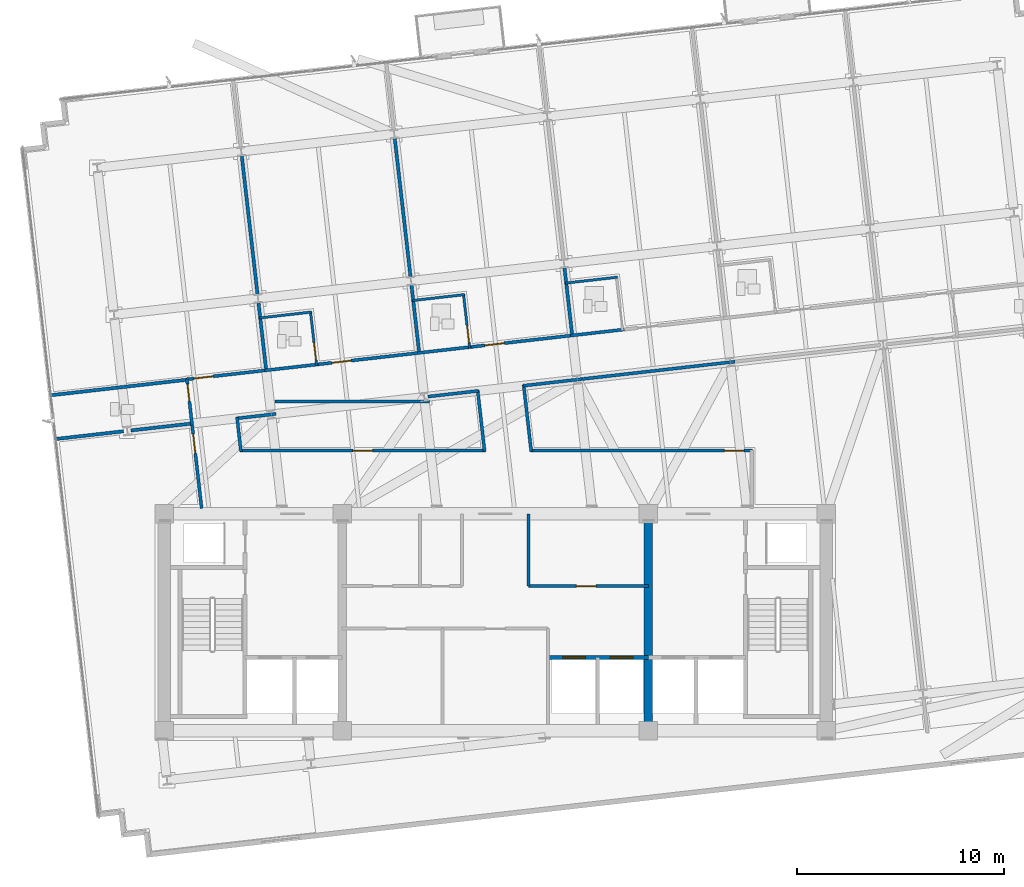
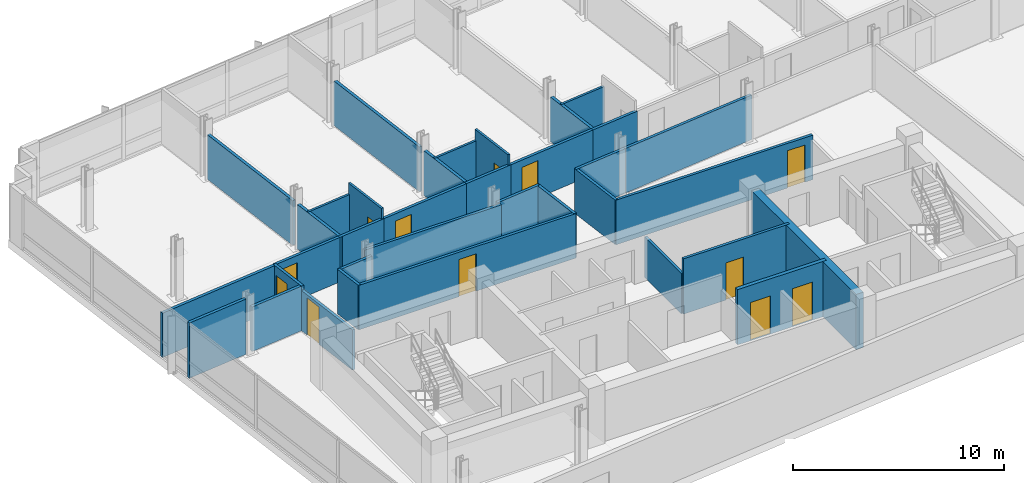
# One storey, part 9 of 15: 35 walls, 12 doors, 12 openings.
"""IFC4 building model written with IfcOpenShell, lengths in metres."""

from ifc_helpers import new_model, si_unit, direction, frame, frame_2d, origin, place, context, subcontext, project, spatial, rectangle, extrude, material, layer, layer_set, type_object, element, fill, save


model = new_model("IFC4")

# Units and contexts
model_context = context("Model", 3, precision=1e-05, world=origin(), true_north=direction((0.0, 1.0)))
body_context = subcontext(model_context, "Body", "Model", "MODEL_VIEW")
ifc_project = project(units=[si_unit("LENGTHUNIT", "METRE"), si_unit("AREAUNIT", "SQUARE_METRE"), si_unit("VOLUMEUNIT", "CUBIC_METRE"), si_unit("PLANEANGLEUNIT", "RADIAN"), si_unit("MASSUNIT", "GRAM", prefix="KILO")], contexts=[model_context])

# Site, building, storey
site_placement = place(None, origin())
site = spatial("IfcSite", under=ifc_project, at=site_placement, CompositionType="ELEMENT")
building_placement = place(site_placement, origin())
building = spatial("IfcBuilding", under=site, at=building_placement, Name="Solmavex Isthmus Hotel", CompositionType="ELEMENT")
storey_placement = place(building_placement, frame((0.0, 0.0, 191.699951171875)))
storey = spatial("IfcBuildingStorey", under=building, at=storey_placement, Name="L51", CompositionType="ELEMENT", Elevation=191.699951171875)

# Walls
ifc_material_1 = material(Name="Gypsum plasterboard lining", Category="gypsum")
ifc_layer_1 = layer(ifc_material_1, 0.159912109375)
ifc_layer_set_1 = layer_set([ifc_layer_1], Name="Gypsum plasterboard lining")
wall_type_1 = type_object("IfcWallType", Name="IW-COMP-160", PredefinedType="PARTITIONING", material=ifc_layer_set_1)
wall_1_placement = place(storey_placement, frame((-12.262939453125, 14.84326171875, 0.0), z_axis=(0.0, 0.0, 1.0), x_axis=(0.113177968069, -0.993574731736, 0.0)))
element("IfcWall", 1, at=wall_1_placement, inside=storey, type_object=wall_type_1, Name="Interior Partition Wall W-L51-P028", PredefinedType="PARTITIONING", context=body_context, shape_type="SweptSolid", body=[
    extrude(rectangle(XDim=6.79931640625, YDim=0.159912109375, at=frame_2d((3.399658203125, 0.0))), origin(), (0.0, 0.0, 1.0), 2.572265625),
])
wall_2_placement = place(storey_placement, frame((-11.453369140625, 7.737060546875, 0.0), z_axis=(0.0, 0.0, 1.0), x_axis=(0.113229088195, -0.993568907317, 0.0)))
element("IfcWall", 2, at=wall_2_placement, inside=storey, type_object=wall_type_1, Name="Interior Partition Wall W-L51-P029", PredefinedType="PARTITIONING", context=body_context, shape_type="SweptSolid", body=[
    extrude(rectangle(XDim=3.361572265625, YDim=0.159912109375, at=frame_2d((1.6806640625, 0.0))), origin(), (0.0, 0.0, 1.0), 2.572265625),
])
wall_3_placement = place(storey_placement, frame((-14.86865234375, 3.98486328125, 0.0), z_axis=(0.0, 0.0, 1.0), x_axis=(-0.993568743641, -0.113230524415, 0.0)))
element("IfcWall", 3, at=wall_3_placement, inside=storey, type_object=wall_type_1, Name="Interior Partition Wall W-L51-P030", PredefinedType="PARTITIONING", context=body_context, shape_type="SweptSolid", body=[
    extrude(rectangle(XDim=6.7099609375, YDim=0.159912109375, at=frame_2d((3.35498046875, 0.0))), origin(), (0.0, 0.0, 1.0), 2.5576171875),
])
wall_4_placement = place(storey_placement, frame((-4.864990234375, 15.68603515625, 0.0), z_axis=(0.0, 0.0, 1.0), x_axis=(0.11321341463, -0.993570693382, 0.0)))
element("IfcWall", 4, at=wall_4_placement, inside=storey, type_object=wall_type_1, Name="Interior Partition Wall W-L51-P034", PredefinedType="PARTITIONING", context=body_context, shape_type="SweptSolid", body=[
    extrude(rectangle(XDim=6.79931640625, YDim=0.159912109375, at=frame_2d((3.399658203125, 0.0))), origin(), (0.0, 0.0, 1.0), 2.572265625),
])
for number, where, z_axis, x_axis, name in (
    (5, (-4.05517578125, 8.580078125, 0.0), (0.0, 0.0, 1.0), (0.113149223935, -0.993578005555, 0.0), "Interior Partition Wall W-L51-P035"),
    (6, (3.3427734375, 9.4228515625, 0.0), (0.0, 0.0, 1.0), (0.113229088195, -0.993568907317, 0.0), "Interior Partition Wall W-L51-P040"),
):
    element("IfcWall", number, at=place(storey_placement, frame(where, z_axis=z_axis, x_axis=x_axis)), inside=storey, type_object=wall_type_1, Name=name, PredefinedType="PARTITIONING", context=body_context, shape_type="SweptSolid", body=[
        extrude(rectangle(XDim=3.361572265625, YDim=0.159912109375, at=frame_2d((1.6806640625, 0.0))), origin(), (0.0, 0.0, 1.0), 2.572265625),
    ])
wall_5_placement = place(storey_placement, frame((-17.97216796875, 1.4873046875, 0.0), z_axis=(0.0, 0.0, 1.0), x_axis=(-0.993575433752, -0.113171804991, 0.0)))
element("IfcWall", 7, at=wall_5_placement, inside=storey, type_object=wall_type_1, Name="Interior Partition Wall W-L51-P052", PredefinedType="PARTITIONING", context=body_context, shape_type="SweptSolid", body=[
    extrude(rectangle(XDim=3.34375, YDim=0.159912109375, at=frame_2d((1.671875, 0.0))), origin(), (0.0, 0.0, 1.0), 3.18994140625),
])
wall_6_placement = place(storey_placement, frame((-14.62744140625, 1.868408203125, 0.0), z_axis=(0.0, 0.0, 1.0), x_axis=(-0.993574646464, -0.113178716659, 0.0)))
element("IfcWall", 8, at=wall_6_placement, inside=storey, type_object=wall_type_1, Name="Interior Partition Wall W-L51-P053", PredefinedType="PARTITIONING", context=body_context, shape_type="SweptSolid", body=[
    extrude(rectangle(XDim=3.013427734375, YDim=0.159912109375, at=frame_2d((1.5068359375, 0.0))), origin(), (0.0, 0.0, 1.0), 2.572265625),
])

# Wall, opening, door
ifc_layer_2 = layer(ifc_material_1, 0.14990234375)
ifc_layer_set_2 = layer_set([ifc_layer_2], Name="Gypsum plasterboard lining")
wall_type_2 = type_object("IfcWallType", Name="IW-CORR-150", PredefinedType="PARTITIONING", material=ifc_layer_set_2)
wall_7_placement = place(storey_placement, frame((1.60009765625, -6.0, 0.0), z_axis=(0.0, 0.0, 1.0), x_axis=(1.0, 0.0, 0.0)))
wall_7 = element("IfcWall", 9, at=wall_7_placement, inside=storey, type_object=wall_type_2, Name="Interior Partition Wall W-L51-BOH-ES", PredefinedType="PARTITIONING", context=body_context, shape_type="SweptSolid", body=[
    extrude(rectangle(XDim=5.7998046875, YDim=0.14990234375, at=frame_2d((2.89990234375, 0.0))), origin(), (0.0, 0.0, 1.0), 3.18994140625),
])
opening_1_placement = place(wall_7_placement, frame((2.324951171875, 0.0, 0.0)))
opening_1 = element("IfcOpeningElement", 10, at=opening_1_placement, cuts=wall_7, Name="Opening ID-C095", PredefinedType="OPENING", context=body_context, shape_type="SweptSolid", body=[
    extrude(rectangle(XDim=0.949951171875, YDim=2.14990234375, at=frame_2d((0.47509765625, 1.074951171875))), frame((0.0, 0.0849609375, 0.0), z_axis=(0.0, -1.0, 0.0), x_axis=(1.0, 0.0, 0.0)), (0.0, 0.0, 1.0), 0.169921875),
])
ifc_material_2 = material(Name="Hardwood timber", Category="wood")
door_type_1 = type_object("IfcDoorType", Name="IDR-FD60-0950", OperationType="NOTDEFINED", PredefinedType="DOOR", material=ifc_material_2)
door_1_placement = place(opening_1_placement, frame((0.949951171875, 0.0, 0.0), z_axis=(0.0, 0.0, 1.0), x_axis=(-1.0, 0.0, 0.0)))
door_1 = element("IfcDoor", 11, at=door_1_placement, inside=storey, type_object=door_type_1, Name="Butler Pantry Door L51", OperationType="SINGLE_SWING_RIGHT", OverallHeight=2.14990234375, OverallWidth=0.949951171875, PredefinedType="DOOR", context=body_context, shape_type="SweptSolid", body=[
    extrude(rectangle(XDim=0.949951171875, YDim=2.14990234375, at=frame_2d((0.47509765625, 1.074951171875))), frame((0.0, 0.02490234375, 0.0), z_axis=(0.0, -1.0, 0.0), x_axis=(1.0, 0.0, 0.0)), (0.0, 0.0, 1.0), 0.050048828125),
])
fill(opening_1, door_1)

# Wall
wall_8_placement = place(storey_placement, frame((1.60009765625, -6.0, 0.0), z_axis=(0.0, 0.0, 1.0), x_axis=(0.0, 1.0, 0.0)))
element("IfcWall", 12, at=wall_8_placement, inside=storey, type_object=wall_type_2, Name="Interior Partition Wall W-L51-BOH-EW", PredefinedType="PARTITIONING", context=body_context, shape_type="SweptSolid", body=[
    extrude(rectangle(XDim=3.5, YDim=0.14990234375, at=frame_2d((1.75, 0.0))), origin(), (0.0, 0.0, 1.0), 2.324951171875),
])

# Wall, opening, door
wall_9_placement = place(storey_placement, frame((-14.950439453125, 3.99560546875, 0.0), z_axis=(0.0, 0.0, 1.0), x_axis=(0.993575504711, 0.11317118201, 0.0)))
wall_9 = element("IfcWall", 13, at=wall_9_placement, inside=storey, type_object=wall_type_2, Name="Interior Partition Wall W-L51-P001", PredefinedType="PARTITIONING", context=body_context, shape_type="SweptSolid", body=[
    extrude(rectangle(XDim=3.980224609375, YDim=0.14990234375, at=frame_2d((1.990234375, 0.0))), origin(), (0.0, 0.0, 1.0), 2.572265625),
])
opening_2_placement = place(wall_9_placement, frame((0.368408203125, 0.0, 0.0)))
opening_2 = element("IfcOpeningElement", 14, at=opening_2_placement, cuts=wall_9, Name="Opening ID-C095", PredefinedType="OPENING", context=body_context, shape_type="SweptSolid", body=[
    extrude(rectangle(XDim=0.949951171875, YDim=2.14990234375, at=frame_2d((0.47509765625, 1.074951171875))), frame((0.0, 0.0849609375, 0.0), z_axis=(0.0, -1.0, 0.0), x_axis=(1.0, 0.0, 0.0)), (0.0, 0.0, 1.0), 0.169921875),
])
door_2_placement = place(opening_2_placement, origin())
door_2 = element("IfcDoor", 15, at=door_2_placement, inside=storey, type_object=door_type_1, Name="Executive Hospitality Lounge Door L51-01", OperationType="SINGLE_SWING_LEFT", OverallHeight=2.14990234375, OverallWidth=0.949951171875, PredefinedType="DOOR", context=body_context, shape_type="SweptSolid", body=[
    extrude(rectangle(XDim=0.949951171875, YDim=2.14990234375, at=frame_2d((0.47509765625, 1.074951171875))), frame((0.0, 0.02490234375, 0.0), z_axis=(0.0, -1.0, 0.0), x_axis=(1.0, 0.0, 0.0)), (0.0, 0.0, 1.0), 0.050048828125),
])
fill(opening_2, door_2)

wall_10_placement = place(storey_placement, frame((-8.724609375, 4.704833984375, 0.0), z_axis=(0.0, 0.0, 1.0), x_axis=(0.993569374626, 0.113224987546, 0.0)))
wall_10 = element("IfcWall", 16, at=wall_10_placement, inside=storey, type_object=wall_type_2, Name="Interior Partition Wall W-L51-P002", PredefinedType="PARTITIONING", context=body_context, shape_type="SweptSolid", body=[
    extrude(rectangle(XDim=5.159912109375, YDim=0.14990234375, at=frame_2d((2.580078125, 0.0))), origin(), (0.0, 0.0, 1.0), 2.572265625),
])
opening_3_placement = place(wall_10_placement, frame((0.82470703125, 0.0, 0.0)))
opening_3 = element("IfcOpeningElement", 17, at=opening_3_placement, cuts=wall_10, Name="Opening ID-C095", PredefinedType="OPENING", context=body_context, shape_type="SweptSolid", body=[
    extrude(rectangle(XDim=0.949951171875, YDim=2.14990234375, at=frame_2d((0.47509765625, 1.074951171875))), frame((0.0, 0.0849609375, 0.0), z_axis=(0.0, -1.0, 0.0), x_axis=(1.0, 0.0, 0.0)), (0.0, 0.0, 1.0), 0.169921875),
])
door_3_placement = place(opening_3_placement, origin())
door_3 = element("IfcDoor", 18, at=door_3_placement, inside=storey, type_object=door_type_1, Name="Diplomatic Suite Door L51-02", OperationType="SINGLE_SWING_RIGHT", OverallHeight=2.14990234375, OverallWidth=0.949951171875, PredefinedType="DOOR", context=body_context, shape_type="SweptSolid", body=[
    extrude(rectangle(XDim=0.949951171875, YDim=2.14990234375, at=frame_2d((0.47509765625, 1.074951171875))), frame((0.0, 0.02490234375, 0.0), z_axis=(0.0, -1.0, 0.0), x_axis=(1.0, 0.0, 0.0)), (0.0, 0.0, 1.0), 0.050048828125),
])
fill(opening_3, door_3)

# Wall
wall_11_placement = place(storey_placement, frame((-11.158935546875, 4.427490234375, 0.0), z_axis=(0.0, 0.0, 1.0), x_axis=(0.993572349416, 0.113198880193, 0.0)))
element("IfcWall", 19, at=wall_11_placement, inside=storey, type_object=wall_type_2, Name="Interior Partition Wall W-L51-P003", PredefinedType="PARTITIONING", context=body_context, shape_type="SweptSolid", body=[
    extrude(rectangle(XDim=2.614013671875, YDim=0.14990234375, at=frame_2d((1.30712890625, 0.0))), origin(), (0.0, 0.0, 1.0), 2.572265625),
])

# Wall, opening, door
wall_12_placement = place(storey_placement, frame((-1.326416015625, 5.5478515625, 0.0), z_axis=(0.0, 0.0, 1.0), x_axis=(0.993569374626, 0.113224987546, 0.0)))
wall_12 = element("IfcWall", 20, at=wall_12_placement, inside=storey, type_object=wall_type_2, Name="Interior Partition Wall W-L51-P004", PredefinedType="PARTITIONING", context=body_context, shape_type="SweptSolid", body=[
    extrude(rectangle(XDim=5.159912109375, YDim=0.14990234375, at=frame_2d((2.580078125, 0.0))), origin(), (0.0, 0.0, 1.0), 2.572265625),
])
opening_4_placement = place(wall_12_placement, frame((0.82470703125, 0.0, 0.0)))
opening_4 = element("IfcOpeningElement", 21, at=opening_4_placement, cuts=wall_12, Name="Opening ID-C095", PredefinedType="OPENING", context=body_context, shape_type="SweptSolid", body=[
    extrude(rectangle(XDim=0.949951171875, YDim=2.14990234375, at=frame_2d((0.47509765625, 1.074951171875))), frame((0.0, 0.0849609375, 0.0), z_axis=(0.0, -1.0, 0.0), x_axis=(1.0, 0.0, 0.0)), (0.0, 0.0, 1.0), 0.169921875),
])
door_4_placement = place(opening_4_placement, origin())
door_4 = element("IfcDoor", 22, at=door_4_placement, inside=storey, type_object=door_type_1, Name="Premier Suite Door L51-04", OperationType="SINGLE_SWING_RIGHT", OverallHeight=2.14990234375, OverallWidth=0.949951171875, PredefinedType="DOOR", context=body_context, shape_type="SweptSolid", body=[
    extrude(rectangle(XDim=0.949951171875, YDim=2.14990234375, at=frame_2d((0.47509765625, 1.074951171875))), frame((0.0, 0.02490234375, 0.0), z_axis=(0.0, -1.0, 0.0), x_axis=(1.0, 0.0, 0.0)), (0.0, 0.0, 1.0), 0.050048828125),
])
fill(opening_4, door_4)

# Walls
for number, where, z_axis, x_axis, name in (
    (23, (-3.7607421875, 5.2705078125, 0.0), (0.0, 0.0, 1.0), (0.993572349416, 0.113198880193, 0.0), "Interior Partition Wall W-L51-P005"),
    (24, (3.637451171875, 6.11328125, 0.0), (0.0, 0.0, 1.0), (0.99356184061, 0.11329108034, 0.0), "Interior Partition Wall W-L51-P007"),
):
    element("IfcWall", number, at=place(storey_placement, frame(where, z_axis=z_axis, x_axis=x_axis)), inside=storey, type_object=wall_type_2, Name=name, PredefinedType="PARTITIONING", context=body_context, shape_type="SweptSolid", body=[
        extrude(rectangle(XDim=2.614013671875, YDim=0.14990234375, at=frame_2d((1.30712890625, 0.0))), origin(), (0.0, 0.0, 1.0), 2.572265625),
    ])

# Wall, opening, door
wall_13_placement = place(storey_placement, frame((-14.657958984375, 1.782470703125, 0.0), z_axis=(0.0, 0.0, 1.0), x_axis=(-0.113179685294, 0.993574536125, 0.0)))
wall_13 = element("IfcWall", 25, at=wall_13_placement, inside=storey, type_object=wall_type_2, Name="Interior Partition Wall W-L51-P011", PredefinedType="PARTITIONING", context=body_context, shape_type="SweptSolid", body=[
    extrude(rectangle(XDim=2.251953125, YDim=0.14990234375, at=frame_2d((1.1259765625, 0.0))), origin(), (0.0, 0.0, 1.0), 2.572265625),
])
opening_5_placement = place(wall_13_placement, frame((1.156982421875, 0.0, 0.0)))
opening_5 = element("IfcOpeningElement", 26, at=opening_5_placement, cuts=wall_13, Name="Opening ID-R085", PredefinedType="OPENING", context=body_context, shape_type="SweptSolid", body=[
    extrude(rectangle(XDim=0.85009765625, YDim=2.050048828125, at=frame_2d((0.425048828125, 1.02490234375))), frame((0.0, 0.0849609375, 0.0), z_axis=(0.0, -1.0, 0.0), x_axis=(1.0, 0.0, 0.0)), (0.0, 0.0, 1.0), 0.169921875),
])
ifc_material_3 = material(Name="Steel ASTM A500 Grade C", Category="steel")
door_type_2 = type_object("IfcDoorType", Name="IDR-FD60-0850", OperationType="NOTDEFINED", PredefinedType="DOOR", material=ifc_material_3)
door_5_placement = place(opening_5_placement, frame((0.85009765625, 0.0, 0.0), z_axis=(0.0, 0.0, 1.0), x_axis=(-1.0, 0.0, 0.0)))
door_5 = element("IfcDoor", 27, at=door_5_placement, inside=storey, type_object=door_type_2, Name="Accessible Public Restroom WC Door L51-11", OperationType="SINGLE_SWING_LEFT", OverallHeight=2.050048828125, OverallWidth=0.85009765625, PredefinedType="DOOR", context=body_context, shape_type="SweptSolid", body=[
    extrude(rectangle(XDim=0.85009765625, YDim=2.050048828125, at=frame_2d((0.425048828125, 1.02490234375))), frame((0.0, 0.02490234375, 0.0), z_axis=(0.0, -1.0, 0.0), x_axis=(1.0, 0.0, 0.0)), (0.0, 0.0, 1.0), 0.050048828125),
])
fill(opening_5, door_5)

# Walls
wall_14_placement = place(storey_placement, frame((-10.6064453125, 2.32666015625, 0.0), z_axis=(0.0, 0.0, 1.0), x_axis=(-0.993564486687, -0.113267871856, 0.0)))
element("IfcWall", 28, at=wall_14_placement, inside=storey, type_object=wall_type_2, Name="Interior Partition Wall W-L51-P013", PredefinedType="PARTITIONING", context=body_context, shape_type="SweptSolid", body=[
    extrude(rectangle(XDim=1.927001953125, YDim=0.14990234375, at=frame_2d((0.96337890625, 0.0))), origin(), (0.0, 0.0, 1.0), 2.572265625),
])
wall_15_placement = place(storey_placement, frame((-12.48583984375, 2.15283203125, 0.0), z_axis=(0.0, 0.0, 1.0), x_axis=(0.113121752139, -0.993581133674, 0.0)))
element("IfcWall", 29, at=wall_15_placement, inside=storey, type_object=wall_type_2, Name="Interior Partition Wall W-L51-P014", PredefinedType="PARTITIONING", context=body_context, shape_type="SweptSolid", body=[
    extrude(rectangle(XDim=1.653076171875, YDim=0.14990234375, at=frame_2d((0.82666015625, 0.0))), origin(), (0.0, 0.0, 1.0), 2.572265625),
])

# Wall, opening, door
wall_16_placement = place(storey_placement, frame((-12.34326171875, 0.550048828125, 0.0), z_axis=(0.0, 0.0, 1.0), x_axis=(1.0, 0.0, 0.0)))
wall_16 = element("IfcWall", 30, at=wall_16_placement, inside=storey, type_object=wall_type_2, Name="Interior Partition Wall W-L51-P015", PredefinedType="PARTITIONING", context=body_context, shape_type="SweptSolid", body=[
    extrude(rectangle(XDim=11.86279296875, YDim=0.14990234375, at=frame_2d((5.931396484375, 0.0))), origin(), (0.0, 0.0, 1.0), 2.572265625),
])
opening_6_placement = place(wall_16_placement, frame((5.456298828125, 0.0, 0.0)))
opening_6 = element("IfcOpeningElement", 31, at=opening_6_placement, cuts=wall_16, Name="Opening ID-C095", PredefinedType="OPENING", context=body_context, shape_type="SweptSolid", body=[
    extrude(rectangle(XDim=0.949951171875, YDim=2.14990234375, at=frame_2d((0.47509765625, 1.074951171875))), frame((0.0, 0.0849609375, 0.0), z_axis=(0.0, -1.0, 0.0), x_axis=(1.0, 0.0, 0.0)), (0.0, 0.0, 1.0), 0.169921875),
])
door_6_placement = place(opening_6_placement, origin())
door_6 = element("IfcDoor", 32, at=door_6_placement, inside=storey, type_object=door_type_1, Name="Butler Kitchenette Door L51-13", OperationType="SINGLE_SWING_LEFT", OverallHeight=2.14990234375, OverallWidth=0.949951171875, PredefinedType="DOOR", context=body_context, shape_type="SweptSolid", body=[
    extrude(rectangle(XDim=0.949951171875, YDim=2.14990234375, at=frame_2d((0.47509765625, 1.074951171875))), frame((0.0, 0.02490234375, 0.0), z_axis=(0.0, -1.0, 0.0), x_axis=(1.0, 0.0, 0.0)), (0.0, 0.0, 1.0), 0.050048828125),
])
fill(opening_6, door_6)

# Walls
wall_17_placement = place(storey_placement, frame((-0.515869140625, 0.51025390625, 0.0), z_axis=(0.0, 0.0, 1.0), x_axis=(-0.113283799092, 0.993562670828, 0.0)))
element("IfcWall", 33, at=wall_17_placement, inside=storey, type_object=wall_type_2, Name="Interior Partition Wall W-L51-P016", PredefinedType="PARTITIONING", context=body_context, shape_type="SweptSolid", body=[
    extrude(rectangle(XDim=2.987060546875, YDim=0.14990234375, at=frame_2d((1.49365234375, 0.0))), origin(), (0.0, 0.0, 1.0), 2.572265625),
])
wall_18_placement = place(storey_placement, frame((-0.809814453125, 3.44287109375, 0.0), z_axis=(0.0, 0.0, 1.0), x_axis=(-0.993568355418, -0.113233930922, 0.0)))
element("IfcWall", 34, at=wall_18_placement, inside=storey, type_object=wall_type_2, Name="Interior Partition Wall W-L51-P017", PredefinedType="PARTITIONING", context=body_context, shape_type="SweptSolid", body=[
    extrude(rectangle(XDim=2.466552734375, YDim=0.14990234375, at=frame_2d((1.2333984375, 0.0))), origin(), (0.0, 0.0, 1.0), 2.572265625),
])
wall_19_placement = place(storey_placement, frame((-3.180908203125, 2.9287109375, 0.0), z_axis=(0.0, 0.0, 1.0), x_axis=(-1.0, 0.0, 0.0)))
element("IfcWall", 35, at=wall_19_placement, inside=storey, type_object=wall_type_2, Name="Interior Partition Wall W-L51-P018", PredefinedType="PARTITIONING", context=body_context, shape_type="SweptSolid", body=[
    extrude(rectangle(XDim=7.477783203125, YDim=0.14990234375, at=frame_2d((3.73876953125, 0.0))), origin(), (0.0, 0.0, 1.0), 2.572265625),
])

# Wall, opening, door
wall_20_placement = place(storey_placement, frame((-14.19970703125, -2.23974609375, 0.0), z_axis=(0.0, 0.0, 1.0), x_axis=(-0.11319839611, 0.993572404568, 0.0)))
wall_20 = element("IfcWall", 36, at=wall_20_placement, inside=storey, type_object=wall_type_2, Name="Interior Partition Wall W-L51-P019", PredefinedType="PARTITIONING", context=body_context, shape_type="SweptSolid", body=[
    extrude(rectangle(XDim=4.212158203125, YDim=0.14990234375, at=frame_2d((2.10595703125, 0.0))), origin(), (0.0, 0.0, 1.0), 2.324951171875),
])
opening_7_placement = place(wall_20_placement, frame((2.67236328125, 0.0, 0.0)))
opening_7 = element("IfcOpeningElement", 37, at=opening_7_placement, cuts=wall_20, Name="Opening ID-C095", PredefinedType="OPENING", context=body_context, shape_type="SweptSolid", body=[
    extrude(rectangle(XDim=0.949951171875, YDim=2.14990234375, at=frame_2d((0.47509765625, 1.074951171875))), frame((0.0, 0.0849609375, 0.0), z_axis=(0.0, -1.0, 0.0), x_axis=(1.0, 0.0, 0.0)), (0.0, 0.0, 1.0), 0.169921875),
])
door_7_placement = place(opening_7_placement, frame((0.949951171875, 0.0, 0.0), z_axis=(0.0, 0.0, 1.0), x_axis=(-1.0, 0.0, 0.0)))
door_7 = element("IfcDoor", 38, at=door_7_placement, inside=storey, type_object=door_type_1, Name="Executive Hospitality Lounge Door L51-14", OperationType="SINGLE_SWING_RIGHT", OverallHeight=2.14990234375, OverallWidth=0.949951171875, PredefinedType="DOOR", context=body_context, shape_type="SweptSolid", body=[
    extrude(rectangle(XDim=0.949951171875, YDim=2.14990234375, at=frame_2d((0.47509765625, 1.074951171875))), frame((0.0, 0.02490234375, 0.0), z_axis=(0.0, -1.0, 0.0), x_axis=(1.0, 0.0, 0.0)), (0.0, 0.0, 1.0), 0.050048828125),
])
fill(opening_7, door_7)

# Walls
wall_21_placement = place(storey_placement, frame((4.18994140625, 4.012451171875, 0.0), z_axis=(0.0, 0.0, 1.0), x_axis=(-0.99356987962, -0.113220556049, 0.0)))
element("IfcWall", 39, at=wall_21_placement, inside=storey, type_object=wall_type_2, Name="Interior Partition Wall W-L51-P020", PredefinedType="PARTITIONING", context=body_context, shape_type="SweptSolid", body=[
    extrude(rectangle(XDim=2.872314453125, YDim=0.14990234375, at=frame_2d((1.43603515625, 0.0))), origin(), (0.0, 0.0, 1.0), 2.572265625),
])
wall_22_placement = place(storey_placement, frame((1.37158203125, 3.731689453125, 0.0), z_axis=(0.0, 0.0, 1.0), x_axis=(0.113174940517, -0.993575076599, 0.0)))
element("IfcWall", 40, at=wall_22_placement, inside=storey, type_object=wall_type_2, Name="Interior Partition Wall W-L51-P021", PredefinedType="PARTITIONING", context=body_context, shape_type="SweptSolid", body=[
    extrude(rectangle(XDim=3.2421875, YDim=0.14990234375, at=frame_2d((1.62109375, 0.0))), origin(), (0.0, 0.0, 1.0), 2.572265625),
])

# Wall, opening, door
wall_23_placement = place(storey_placement, frame((1.694091796875, 0.550048828125, 0.0), z_axis=(0.0, 0.0, 1.0), x_axis=(1.0, 0.0, 0.0)))
wall_23 = element("IfcWall", 41, at=wall_23_placement, inside=storey, type_object=wall_type_2, Name="Interior Partition Wall W-L51-P022", PredefinedType="PARTITIONING", context=body_context, shape_type="SweptSolid", body=[
    extrude(rectangle(XDim=10.745849609375, YDim=0.14990234375, at=frame_2d((5.373046875, 0.0))), origin(), (0.0, 0.0, 1.0), 2.572265625),
])
opening_8_placement = place(wall_23_placement, frame((9.377685546875, 0.0, 0.0)))
opening_8 = element("IfcOpeningElement", 42, at=opening_8_placement, cuts=wall_23, Name="Opening ID-C095", PredefinedType="OPENING", context=body_context, shape_type="SweptSolid", body=[
    extrude(rectangle(XDim=0.949951171875, YDim=2.14990234375, at=frame_2d((0.47509765625, 1.074951171875))), frame((0.0, 0.0849609375, 0.0), z_axis=(0.0, -1.0, 0.0), x_axis=(1.0, 0.0, 0.0)), (0.0, 0.0, 1.0), 0.169921875),
])
door_8_placement = place(opening_8_placement, frame((0.949951171875, 0.0, 0.0), z_axis=(0.0, 0.0, 1.0), x_axis=(-1.0, 0.0, 0.0)))
door_8 = element("IfcDoor", 43, at=door_8_placement, inside=storey, type_object=door_type_1, Name="Catering Servery Kitchen Door L51-15", OperationType="SINGLE_SWING_LEFT", OverallHeight=2.14990234375, OverallWidth=0.949951171875, PredefinedType="DOOR", context=body_context, shape_type="SweptSolid", body=[
    extrude(rectangle(XDim=0.949951171875, YDim=2.14990234375, at=frame_2d((0.47509765625, 1.074951171875))), frame((0.0, 0.02490234375, 0.0), z_axis=(0.0, -1.0, 0.0), x_axis=(1.0, 0.0, 0.0)), (0.0, 0.0, 1.0), 0.050048828125),
])
fill(opening_8, door_8)

# Wall
wall_24_placement = place(storey_placement, frame((11.587890625, 4.855224609375, 0.0), z_axis=(0.0, 0.0, 1.0), x_axis=(-0.993575418148, -0.113171941983, 0.0)))
element("IfcWall", 44, at=wall_24_placement, inside=storey, type_object=wall_type_2, Name="Interior Partition Wall W-L51-P024", PredefinedType="PARTITIONING", context=body_context, shape_type="SweptSolid", body=[
    extrude(rectangle(XDim=7.49853515625, YDim=0.14990234375, at=frame_2d((3.749267578125, 0.0))), origin(), (0.0, 0.0, 1.0), 2.572265625),
])

# Wall, opening, door
ifc_layer_3 = layer(ifc_material_1, 0.1201171875)
ifc_layer_set_3 = layer_set([ifc_layer_3], Name="Gypsum plasterboard lining")
wall_type_3 = type_object("IfcWallType", Name="IW-PART-120", PredefinedType="PARTITIONING", material=ifc_layer_set_3)
wall_25_placement = place(storey_placement, frame((-8.638671875, 4.674560546875, 0.0), z_axis=(0.0, 0.0, 1.0), x_axis=(-0.113161716754, 0.993576582786, 0.0)))
wall_25 = element("IfcWall", 45, at=wall_25_placement, inside=storey, type_object=wall_type_3, Name="Interior Partition Wall W-L51-P031", PredefinedType="PARTITIONING", context=body_context, shape_type="SweptSolid", body=[
    extrude(rectangle(XDim=2.6298828125, YDim=0.1201171875, at=frame_2d((1.31494140625, 0.0))), origin(), (0.0, 0.0, 1.0), 3.18994140625),
])
opening_9_placement = place(wall_25_placement, frame((0.247314453125, 0.0, 0.0)))
opening_9 = element("IfcOpeningElement", 46, at=opening_9_placement, cuts=wall_25, Name="Opening ID-U085", PredefinedType="OPENING", context=body_context, shape_type="SweptSolid", body=[
    extrude(rectangle(XDim=0.85009765625, YDim=2.10009765625, at=frame_2d((0.425048828125, 1.050048828125))), frame((0.0, 0.070068359375, 0.0), z_axis=(0.0, -1.0, 0.0), x_axis=(1.0, 0.0, 0.0)), (0.0, 0.0, 1.0), 0.14013671875),
])
door_type_3 = type_object("IfcDoorType", Name="IDR-UNR-0850", OperationType="NOTDEFINED", PredefinedType="DOOR", material=ifc_material_2)
door_9_placement = place(opening_9_placement, frame((0.85009765625, 0.0, 0.0), z_axis=(0.0, 0.0, 1.0), x_axis=(-1.0, 0.0, 0.0)))
door_9 = element("IfcDoor", 47, at=door_9_placement, inside=storey, type_object=door_type_3, Name="En-suite Bathroom Door L51-03", OperationType="SINGLE_SWING_LEFT", OverallHeight=2.10009765625, OverallWidth=0.85009765625, PredefinedType="DOOR", context=body_context, shape_type="SweptSolid", body=[
    extrude(rectangle(XDim=0.85009765625, YDim=2.10009765625, at=frame_2d((0.425048828125, 1.050048828125))), frame((0.0, 0.02490234375, 0.0), z_axis=(0.0, -1.0, 0.0), x_axis=(1.0, 0.0, 0.0)), (0.0, 0.0, 1.0), 0.050048828125),
])
fill(opening_9, door_9)

# Wall
wall_26_placement = place(storey_placement, frame((-8.89208984375, 7.25244140625, 0.0), z_axis=(0.0, 0.0, 1.0), x_axis=(-0.993561877368, -0.113290757967, 0.0)))
element("IfcWall", 48, at=wall_26_placement, inside=storey, type_object=wall_type_3, Name="Interior Partition Wall W-L51-P032", PredefinedType="PARTITIONING", context=body_context, shape_type="SweptSolid", body=[
    extrude(rectangle(XDim=2.530029296875, YDim=0.1201171875, at=frame_2d((1.26513671875, 0.0))), origin(), (0.0, 0.0, 1.0), 2.572265625),
])

# Wall, opening, door
wall_27_placement = place(storey_placement, frame((-1.240478515625, 5.517333984375, 0.0), z_axis=(0.0, 0.0, 1.0), x_axis=(-0.113161716754, 0.993576582786, 0.0)))
wall_27 = element("IfcWall", 49, at=wall_27_placement, inside=storey, type_object=wall_type_3, Name="Interior Partition Wall W-L51-P036", PredefinedType="PARTITIONING", context=body_context, shape_type="SweptSolid", body=[
    extrude(rectangle(XDim=2.6298828125, YDim=0.1201171875, at=frame_2d((1.31494140625, 0.0))), origin(), (0.0, 0.0, 1.0), 3.18994140625),
])
opening_10_placement = place(wall_27_placement, frame((0.247314453125, 0.0, 0.0)))
opening_10 = element("IfcOpeningElement", 50, at=opening_10_placement, cuts=wall_27, Name="Opening ID-U085", PredefinedType="OPENING", context=body_context, shape_type="SweptSolid", body=[
    extrude(rectangle(XDim=0.85009765625, YDim=2.10009765625, at=frame_2d((0.425048828125, 1.050048828125))), frame((0.0, 0.070068359375, 0.0), z_axis=(0.0, -1.0, 0.0), x_axis=(1.0, 0.0, 0.0)), (0.0, 0.0, 1.0), 0.14013671875),
])
door_10_placement = place(opening_10_placement, frame((0.85009765625, 0.0, 0.0), z_axis=(0.0, 0.0, 1.0), x_axis=(-1.0, 0.0, 0.0)))
door_10 = element("IfcDoor", 51, at=door_10_placement, inside=storey, type_object=door_type_3, Name="En-suite Bathroom Door L51-05", OperationType="SINGLE_SWING_LEFT", OverallHeight=2.10009765625, OverallWidth=0.85009765625, PredefinedType="DOOR", context=body_context, shape_type="SweptSolid", body=[
    extrude(rectangle(XDim=0.85009765625, YDim=2.10009765625, at=frame_2d((0.425048828125, 1.050048828125))), frame((0.0, 0.02490234375, 0.0), z_axis=(0.0, -1.0, 0.0), x_axis=(1.0, 0.0, 0.0)), (0.0, 0.0, 1.0), 0.050048828125),
])
fill(opening_10, door_10)

# Walls
wall_28_placement = place(storey_placement, frame((-1.493896484375, 8.09521484375, 0.0), z_axis=(0.0, 0.0, 1.0), x_axis=(-0.99357273507, -0.113195495167, 0.0)))
element("IfcWall", 52, at=wall_28_placement, inside=storey, type_object=wall_type_3, Name="Interior Partition Wall W-L51-P037", PredefinedType="PARTITIONING", context=body_context, shape_type="SweptSolid", body=[
    extrude(rectangle(XDim=2.530029296875, YDim=0.1201171875, at=frame_2d((1.26513671875, 0.0))), origin(), (0.0, 0.0, 1.0), 2.572265625),
])
wall_29_placement = place(storey_placement, frame((5.904296875, 8.938232421875, 0.0), z_axis=(0.0, 0.0, 1.0), x_axis=(-0.993573971379, -0.113184642947, 0.0)))
element("IfcWall", 53, at=wall_29_placement, inside=storey, type_object=wall_type_3, Name="Interior Partition Wall W-L51-P042", PredefinedType="PARTITIONING", context=body_context, shape_type="SweptSolid", body=[
    extrude(rectangle(XDim=2.5302734375, YDim=0.1201171875, at=frame_2d((1.26513671875, 0.0))), origin(), (0.0, 0.0, 1.0), 2.572265625),
])

# Wall, openings, doors
ifc_material_4 = material(Name="Concrete C40/50", Category="concrete")
ifc_layer_4 = layer(ifc_material_4, 0.199951171875)
ifc_layer_set_4 = layer_set([ifc_layer_4], Name="Concrete C40/50")
wall_type_4 = type_object("IfcWallType", Name="IW-SHAFT-200", PredefinedType="PARTITIONING", material=ifc_layer_set_4)
wall_30_placement = place(storey_placement, frame((2.550048828125, -9.449951171875, 0.0), z_axis=(0.0, 0.0, 1.0), x_axis=(1.0, 0.0, 0.0)))
wall_30 = element("IfcWall", 54, at=wall_30_placement, inside=storey, type_object=wall_type_4, Name="Interior Partition Wall W-L51-SH-PLH", PredefinedType="PARTITIONING", context=body_context, shape_type="SweptSolid", body=[
    extrude(rectangle(XDim=4.849853515625, YDim=0.199951171875, at=frame_2d((2.4248046875, 0.0))), origin(), (0.0, 0.0, 1.0), 3.18994140625),
])
opening_11_placement = place(wall_30_placement, frame((0.699951171875, 0.0, 0.0)))
opening_11 = element("IfcOpeningElement", 55, at=opening_11_placement, cuts=wall_30, Name="Opening LD-PL", PredefinedType="OPENING", context=body_context, shape_type="SweptSolid", body=[
    extrude(rectangle(XDim=1.10009765625, YDim=2.199951171875, at=frame_2d((0.550048828125, 1.10009765625))), frame((0.0, 0.10986328125, 0.0), z_axis=(0.0, -1.0, 0.0), x_axis=(1.0, 0.0, 0.0)), (0.0, 0.0, 1.0), 0.219970703125),
])
opening_12_placement = place(wall_30_placement, frame((3.0, 0.0, 0.0)))
opening_12 = element("IfcOpeningElement", 56, at=opening_12_placement, cuts=wall_30, Name="Opening LD-PL", PredefinedType="OPENING", context=body_context, shape_type="SweptSolid", body=[
    extrude(rectangle(XDim=1.10009765625, YDim=2.199951171875, at=frame_2d((0.550048828125, 1.10009765625))), frame((0.0, 0.10986328125, 0.0), z_axis=(0.0, -1.0, 0.0), x_axis=(1.0, 0.0, 0.0)), (0.0, 0.0, 1.0), 0.219970703125),
])
ifc_material_5 = material(Name="Stainless steel 316", Category="steel")
door_type_4 = type_object("IfcDoorType", Name="LDR-PL-1100", OperationType="NOTDEFINED", PredefinedType="DOOR", material=ifc_material_5)
door_11_placement = place(opening_11_placement, origin())
door_11 = element("IfcDoor", 57, at=door_11_placement, inside=storey, type_object=door_type_4, Name="Lift Landing Door PLH1 L51", OperationType="SLIDING_TO_LEFT", OverallHeight=2.199951171875, OverallWidth=1.10009765625, PredefinedType="DOOR", context=body_context, shape_type="SweptSolid", body=[
    extrude(rectangle(XDim=1.10009765625, YDim=2.199951171875, at=frame_2d((0.550048828125, 1.10009765625))), frame((0.0, 0.02490234375, 0.0), z_axis=(0.0, -1.0, 0.0), x_axis=(1.0, 0.0, 0.0)), (0.0, 0.0, 1.0), 0.050048828125),
])
fill(opening_11, door_11)
door_12_placement = place(opening_12_placement, origin())
door_12 = element("IfcDoor", 58, at=door_12_placement, inside=storey, type_object=door_type_4, Name="Lift Landing Door PLH2 L51", OperationType="SLIDING_TO_LEFT", OverallHeight=2.199951171875, OverallWidth=1.10009765625, PredefinedType="DOOR", context=body_context, shape_type="SweptSolid", body=[
    extrude(rectangle(XDim=1.10009765625, YDim=2.199951171875, at=frame_2d((0.550048828125, 1.10009765625))), frame((0.0, 0.02490234375, 0.0), z_axis=(0.0, -1.0, 0.0), x_axis=(1.0, 0.0, 0.0)), (0.0, 0.0, 1.0), 0.050048828125),
])
fill(opening_12, door_12)

# Wall
ifc_material_6 = material(Name="Concrete C50/60", Category="concrete")
ifc_layer_5 = layer(ifc_material_6, 0.39990234375)
ifc_layer_set_5 = layer_set([ifc_layer_5], Name="Concrete C50/60")
wall_type_5 = type_object("IfcWallType", Name="WALL-CW-400H", PredefinedType="SHEAR", material=ifc_layer_set_5)
wall_31_placement = place(storey_placement, frame((7.39990234375, -12.699951171875, 0.0), z_axis=(0.0, 0.0, 1.0), x_axis=(0.0, 1.0, 0.0)))
element("IfcWall", 59, at=wall_31_placement, inside=storey, type_object=wall_type_5, Name="Core Cross Shear Wall C2 L51", PredefinedType="SHEAR", context=body_context, shape_type="SweptSolid", body=[
    extrude(rectangle(XDim=9.89990234375, YDim=0.39990234375, at=frame_2d((4.949951171875, 0.0))), origin(), (0.0, 0.0, 1.0), 3.18994140625),
])

save(model, "model.ifc")
